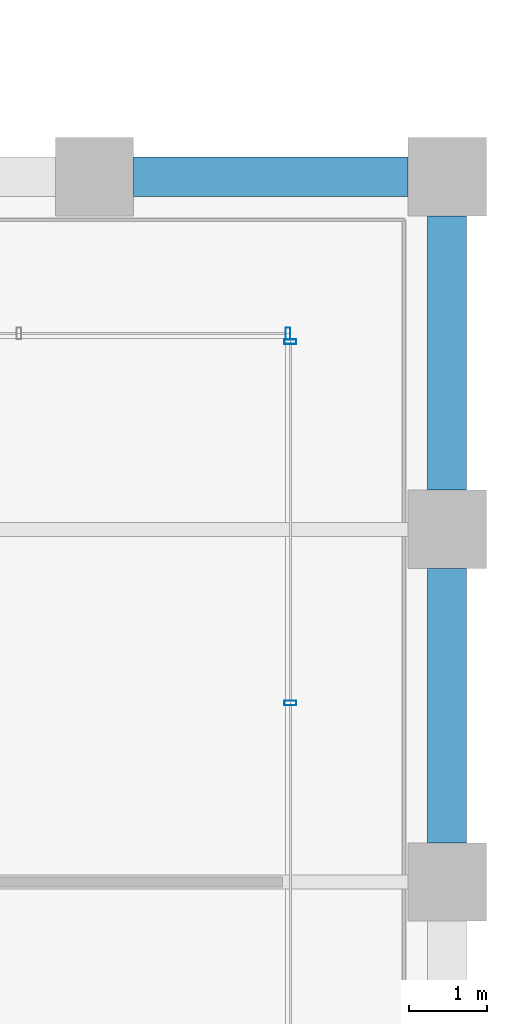
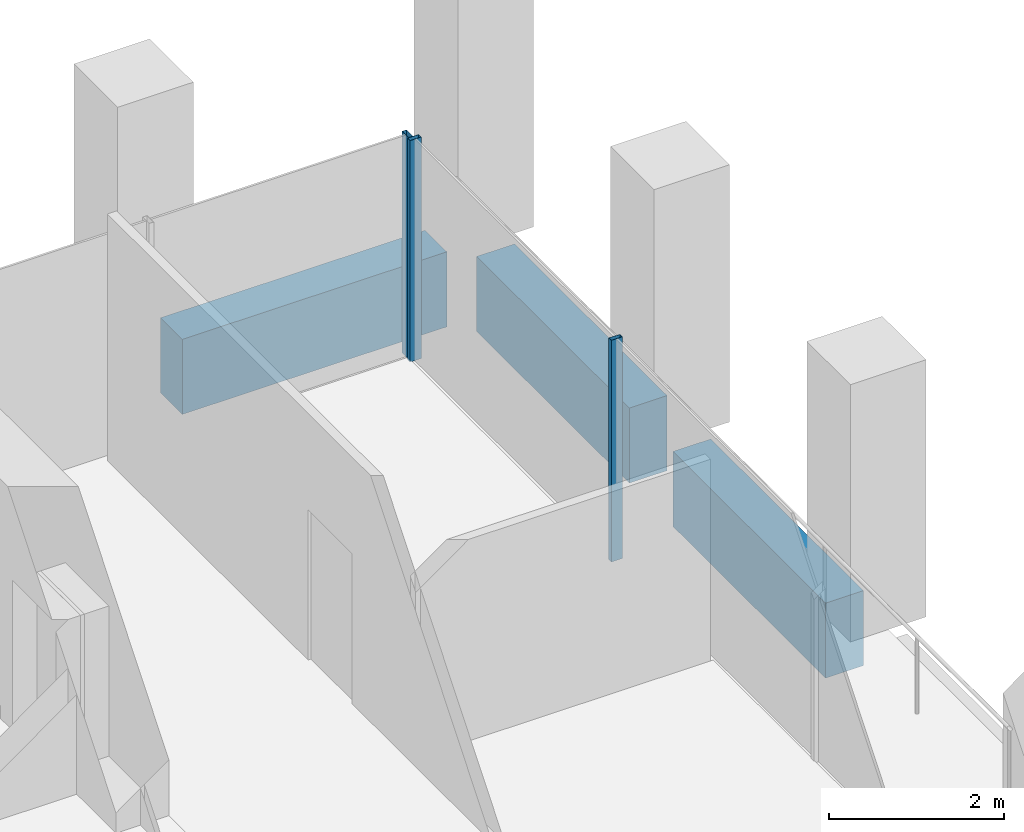
# One storey, part 38 of 46: 3 beams, 3 members, 2 elements without a shape of their own.
"""IFC4 building model written with IfcOpenShell, lengths in metres."""

from ifc_helpers import new_model, si_unit, direction, frame, origin, origin_2d, place, context, subcontext, project, spatial, rectangle, hollow_rectangle, extrude, material, material_profile, profile_set, type_object, element, aggregate, save


model = new_model("IFC4")

# Units and contexts
model_context = context("Model", 3, precision=1e-05, world=origin(), true_north=direction((0.0, 1.0)))
body_context = subcontext(model_context, "Body", "Model", "MODEL_VIEW")
ifc_project = project(units=[si_unit("LENGTHUNIT", "METRE"), si_unit("AREAUNIT", "SQUARE_METRE"), si_unit("VOLUMEUNIT", "CUBIC_METRE"), si_unit("PLANEANGLEUNIT", "RADIAN"), si_unit("MASSUNIT", "GRAM", prefix="KILO")], contexts=[model_context])

# Site, building, storey
site_placement = place(None, origin())
site = spatial("IfcSite", under=ifc_project, at=site_placement, CompositionType="ELEMENT")
building_placement = place(site_placement, origin())
building = spatial("IfcBuilding", under=site, at=building_placement, Name="Altepetl Exchange Towers", CompositionType="ELEMENT")
storey_placement = place(building_placement, frame((0.0, 0.0, 131.60009765625)))
storey = spatial("IfcBuildingStorey", under=building, at=storey_placement, Name="L32", CompositionType="ELEMENT", Elevation=131.60009765625)

# Curtain wall, members
ifc_material_1 = material(Name="Aluminium 6063-T6 glazing", Category="aluminium")
curtain_wall_type = type_object("IfcCurtainWallType", Name="Loggia glazing system", PredefinedType="NOTDEFINED", material=ifc_material_1)
curtain_wall_1_placement = place(storey_placement, origin())
curtain_wall_1 = element("IfcCurtainWall", 1, at=curtain_wall_1_placement, inside=storey, type_object=curtain_wall_type, Name="CW1 run", PredefinedType="NOTDEFINED")
ifc_material_2 = material(Name="Aluminium 6063-T6", Category="aluminium")
ifc_material_profile_1 = material_profile(ifc_material_2, hollow_rectangle(XDim=0.06005859375, YDim=0.14990234375, WallThickness=0.0029296875, at=origin_2d()), Name="Mullion 60x150 aluminium")
ifc_profile_set_1 = profile_set([ifc_material_profile_1], Name="Aluminium 6063-T6")
member_type = type_object("IfcMemberType", Name="Mullion 60x150 aluminium", PredefinedType="MULLION", material=ifc_profile_set_1)
member_1_placement = place(storey_placement, frame((124.0, 42.783447265625, 0.0), z_axis=(0.0, 0.0, 1.0), x_axis=(0.0, 1.0, 0.0)))
member_1 = element("IfcMember", 2, at=member_1_placement, type_object=member_type, Name="MU1 mullion", PredefinedType="MULLION", context=body_context, shape_type="SweptSolid", body=[
    extrude(hollow_rectangle(XDim=0.06005859375, YDim=0.14990234375, WallThickness=0.0029296875, at=origin_2d()), origin(), (0.0, 0.0, 1.0), 3.099853515625),
])
member_2_placement = place(storey_placement, frame((124.0, 47.39501953125, 0.0), z_axis=(0.0, 0.0, 1.0), x_axis=(0.0, 1.0, 0.0)))
member_2 = element("IfcMember", 3, at=member_2_placement, type_object=member_type, Name="MU1 mullion", PredefinedType="MULLION", context=body_context, shape_type="SweptSolid", body=[
    extrude(hollow_rectangle(XDim=0.06005859375, YDim=0.14990234375, WallThickness=0.0029296875, at=origin_2d()), origin(), (0.0, 0.0, 1.0), 3.099853515625),
])
aggregate(curtain_wall_1, [member_1, member_2])

# Curtain wall, member
curtain_wall_2_placement = place(storey_placement, origin())
curtain_wall_2 = element("IfcCurtainWall", 4, at=curtain_wall_2_placement, inside=storey, type_object=curtain_wall_type, Name="CW1 run", PredefinedType="NOTDEFINED")
member_3_placement = place(storey_placement, frame((123.969970703125, 47.5, 0.0), z_axis=(0.0, 0.0, 1.0), x_axis=(-1.0, 0.0, 0.0)))
member_3 = element("IfcMember", 5, at=member_3_placement, type_object=member_type, Name="MU1 mullion", PredefinedType="MULLION", context=body_context, shape_type="SweptSolid", body=[
    extrude(hollow_rectangle(XDim=0.06005859375, YDim=0.14990234375, WallThickness=0.0029296875, at=origin_2d()), origin(), (0.0, 0.0, 1.0), 3.099853515625),
])
aggregate(curtain_wall_2, [member_3])

# Beams
ifc_material_3 = material(Name="Concrete C50/60 precast with cantera amarilla facing", Category="concrete")
ifc_material_profile_2 = material_profile(ifc_material_3, rectangle(XDim=0.5, YDim=1.050048828125, at=origin_2d()), Name="500 x 1050")
ifc_profile_set_2 = profile_set([ifc_material_profile_2], Name="Concrete C50/60 precast with cantera amarilla facing")
beam_type_1 = type_object("IfcBeamType", Name="Spandrel beam 500x1050 cantera amarilla", PredefinedType="SPANDREL", material=ifc_profile_set_2)
beam_placement = place(storey_placement, frame((125.5, 49.5, -0.675048828125), z_axis=(-1.0, 0.0, 0.0), x_axis=(0.0, -1.0, 0.0)))
element("IfcBeam", 6, at=beam_placement, inside=storey, type_object=beam_type_1, Name="sp:B:L32:013", PredefinedType="SPANDREL", context=body_context, shape_type="SweptSolid", body=[
    extrude(rectangle(XDim=0.5, YDim=1.050048828125, at=origin_2d()), origin(), (0.0, 0.0, 1.0), 3.5),
])
ifc_material_4 = material(Name="Concrete C50/60 precast with cantera blanca facing", Category="concrete")
ifc_material_profile_3 = material_profile(ifc_material_4, rectangle(XDim=0.5, YDim=1.050048828125, at=origin_2d()), Name="500 x 1050")
ifc_profile_set_3 = profile_set([ifc_material_profile_3], Name="Concrete C50/60 precast with cantera blanca facing")
beam_type_2 = type_object("IfcBeamType", Name="Spandrel beam 500x1050 cantera blanca", PredefinedType="SPANDREL", material=ifc_profile_set_3)
for number, where, z_axis, x_axis, name in (
    (7, (126.0, 41.0, -0.675048828125), (0.0, 1.0, 0.0), (-1.0, 0.0, 0.0), "sp:B:L32:011"),
    (8, (126.0, 45.5, -0.675048828125), (0.0, 1.0, 0.0), (-1.0, 0.0, 0.0), "sp:B:L32:012"),
):
    element("IfcBeam", number, at=place(storey_placement, frame(where, z_axis=z_axis, x_axis=x_axis)), inside=storey, type_object=beam_type_2, Name=name, PredefinedType="SPANDREL", context=body_context, shape_type="SweptSolid", body=[
        extrude(rectangle(XDim=0.5, YDim=1.050048828125, at=origin_2d()), origin(), (0.0, 0.0, 1.0), 3.5),
    ])

save(model, "model.ifc")
